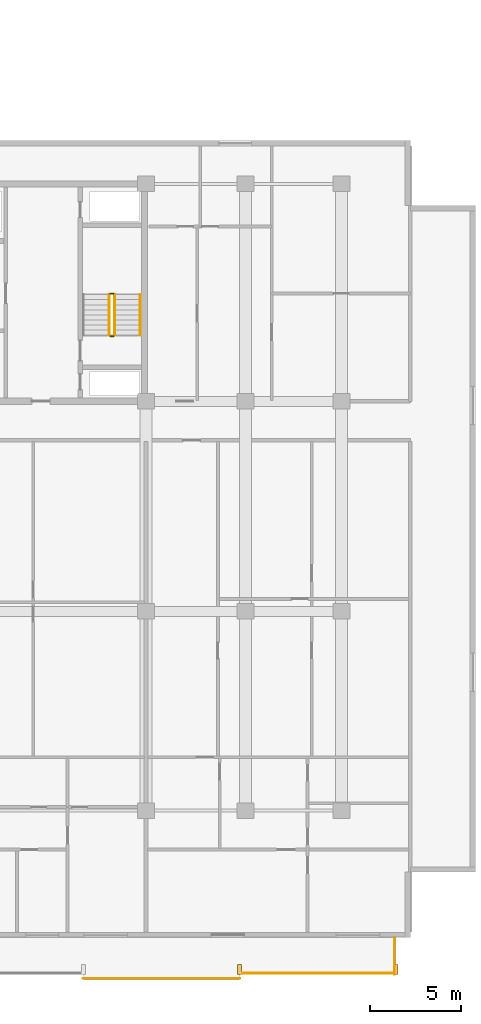
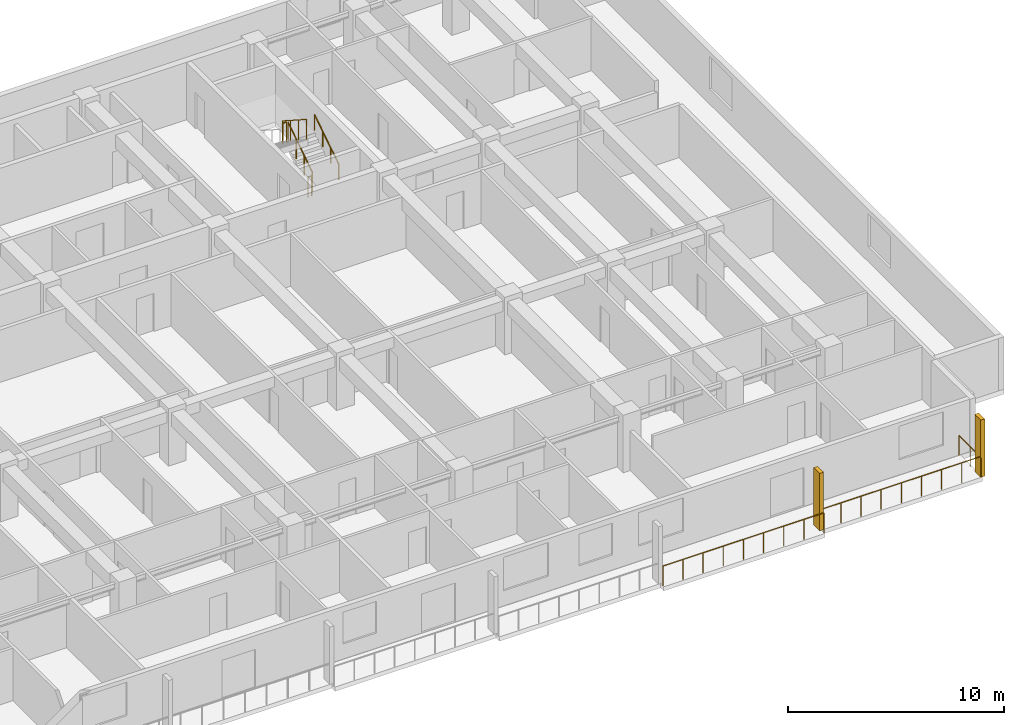
# One storey, part 21 of 23: 8 railings, 2 shading devices.
"""IFC4 building model written with IfcOpenShell, lengths in metres."""

from ifc_helpers import new_model, si_unit, direction, frame, origin, origin_2d, place, context, subcontext, project, spatial, rectangle, circle, extrude, material, type_object, element, save


model = new_model("IFC4")

# Units and contexts
model_context = context("Model", 3, precision=1e-05, world=origin(), true_north=direction((0.0, 1.0)))
body_context = subcontext(model_context, "Body", "Model", "MODEL_VIEW")
ifc_project = project(units=[si_unit("LENGTHUNIT", "METRE"), si_unit("AREAUNIT", "SQUARE_METRE"), si_unit("VOLUMEUNIT", "CUBIC_METRE"), si_unit("PLANEANGLEUNIT", "RADIAN"), si_unit("MASSUNIT", "GRAM", prefix="KILO")], contexts=[model_context])

# Site, building, storey
site_placement = place(None, origin())
site = spatial("IfcSite", under=ifc_project, at=site_placement, CompositionType="ELEMENT")
building_placement = place(site_placement, origin())
building = spatial("IfcBuilding", under=site, at=building_placement, Name="Korimba Cascade Residences", CompositionType="ELEMENT")
storey_placement = place(building_placement, frame((0.0, 0.0, 72.75)))
storey = spatial("IfcBuildingStorey", under=building, at=storey_placement, Name="L20", CompositionType="ELEMENT", Elevation=72.75)

# Railings
ifc_material_1 = material(Name="Laminated Glass and Bronze Balustrade", Category="glass")
railing_type_1 = type_object("IfcRailingType", Name="RLG-LOG-1150", PredefinedType="BALUSTRADE", material=ifc_material_1)
railing_1_placement = place(storey_placement, frame((114.642822265625, -13.469970703125, 0.0)))
element("IfcRailing", 1, at=railing_1_placement, inside=storey, type_object=railing_type_1, Name="L20 Perimeter Guardrail RLG-L20-T2-LOG-05", PredefinedType="BALUSTRADE", context=body_context, shape_type="SweptSolid", body=[
    extrude(circle(Radius=0.02392578125, at=origin_2d()), frame((0.0, 0.0, 1.1259765625), z_axis=(1.0, 0.0, 0.0), x_axis=(0.0, 1.0, 0.0)), (0.0, 0.0, 1.0), 8.628662109375),
    extrude(circle(Radius=0.02099609375, at=origin_2d()), origin(), (0.0, 0.0, 1.0), 1.101806640625),
    extrude(circle(Radius=0.02099609375, at=origin_2d()), frame((1.07861328125, 0.0, 0.0)), (0.0, 0.0, 1.0), 1.101806640625),
    extrude(circle(Radius=0.02099609375, at=origin_2d()), frame((2.1572265625, 0.0, 0.0)), (0.0, 0.0, 1.0), 1.101806640625),
    extrude(circle(Radius=0.02099609375, at=origin_2d()), frame((3.23583984375, 0.0, 0.0)), (0.0, 0.0, 1.0), 1.101806640625),
    extrude(circle(Radius=0.02099609375, at=origin_2d()), frame((4.314453125, 0.0, 0.0)), (0.0, 0.0, 1.0), 1.101806640625),
    extrude(circle(Radius=0.02099609375, at=origin_2d()), frame((5.392822265625, 0.0, 0.0)), (0.0, 0.0, 1.0), 1.101806640625),
    extrude(circle(Radius=0.02099609375, at=origin_2d()), frame((6.471435546875, 0.0, 0.0)), (0.0, 0.0, 1.0), 1.101806640625),
    extrude(circle(Radius=0.02099609375, at=origin_2d()), frame((7.550048828125, 0.0, 0.0)), (0.0, 0.0, 1.0), 1.101806640625),
    extrude(circle(Radius=0.02099609375, at=origin_2d()), frame((8.628662109375, 0.0, 0.0)), (0.0, 0.0, 1.0), 1.101806640625),
])
railing_2_placement = place(storey_placement, frame((123.271484375, -13.169921875, 0.0)))
element("IfcRailing", 2, at=railing_2_placement, inside=storey, type_object=railing_type_1, Name="L20 Perimeter Guardrail RLG-L20-T2-LOG-06", PredefinedType="BALUSTRADE", context=body_context, shape_type="SweptSolid", body=[
    extrude(circle(Radius=0.02392578125, at=origin_2d()), frame((0.0, 0.0, 1.1259765625), z_axis=(1.0, 0.0, 0.0), x_axis=(0.0, 1.0, 0.0)), (0.0, 0.0, 1.0), 8.62841796875),
    extrude(circle(Radius=0.02099609375, at=origin_2d()), origin(), (0.0, 0.0, 1.0), 1.101806640625),
    extrude(circle(Radius=0.02099609375, at=origin_2d()), frame((1.07861328125, 0.0, 0.0)), (0.0, 0.0, 1.0), 1.101806640625),
    extrude(circle(Radius=0.02099609375, at=origin_2d()), frame((2.1572265625, 0.0, 0.0)), (0.0, 0.0, 1.0), 1.101806640625),
    extrude(circle(Radius=0.02099609375, at=origin_2d()), frame((3.235595703125, 0.0, 0.0)), (0.0, 0.0, 1.0), 1.101806640625),
    extrude(circle(Radius=0.02099609375, at=origin_2d()), frame((4.314208984375, 0.0, 0.0)), (0.0, 0.0, 1.0), 1.101806640625),
    extrude(circle(Radius=0.02099609375, at=origin_2d()), frame((5.392822265625, 0.0, 0.0)), (0.0, 0.0, 1.0), 1.101806640625),
    extrude(circle(Radius=0.02099609375, at=origin_2d()), frame((6.47119140625, 0.0, 0.0)), (0.0, 0.0, 1.0), 1.101806640625),
    extrude(circle(Radius=0.02099609375, at=origin_2d()), frame((7.5498046875, 0.0, 0.0)), (0.0, 0.0, 1.0), 1.101806640625),
    extrude(circle(Radius=0.02099609375, at=origin_2d()), frame((8.62841796875, 0.0, 0.0)), (0.0, 0.0, 1.0), 1.101806640625),
])
railing_3_placement = place(storey_placement, frame((131.820068359375, -13.25, 0.0)))
element("IfcRailing", 3, at=railing_3_placement, inside=storey, type_object=railing_type_1, Name="L20 Perimeter Guardrail RLG-L20-T2-LOG-07", PredefinedType="BALUSTRADE", context=body_context, shape_type="SweptSolid", body=[
    extrude(circle(Radius=0.02392578125, at=origin_2d()), frame((0.0, 0.0, 1.1259765625), z_axis=(0.0, 1.0, 0.0), x_axis=(-1.0, 0.0, 0.0)), (0.0, 0.0, 1.0), 2.050048828125),
    extrude(circle(Radius=0.02099609375, at=origin_2d()), origin(), (0.0, 0.0, 1.0), 1.101806640625),
    extrude(circle(Radius=0.02099609375, at=origin_2d()), frame((0.0, 1.02490234375, 0.0)), (0.0, 0.0, 1.0), 1.101806640625),
    extrude(circle(Radius=0.02099609375, at=origin_2d()), frame((0.0, 2.050048828125, 0.0)), (0.0, 0.0, 1.0), 1.101806640625),
])
ifc_material_2 = material(Name="Painted Steel Stairwell Guardrail", Category="steel")
railing_type_2 = type_object("IfcRailingType", Name="RLG-ST-GD1150", PredefinedType="GUARDRAIL", material=ifc_material_2)
railing_4_placement = place(storey_placement, frame((116.3701171875, 22.050048828125, 0.1806640625)))
element("IfcRailing", 4, at=railing_4_placement, inside=storey, type_object=railing_type_2, Name="L20 ST-E2 stair guard 1", PredefinedType="GUARDRAIL", context=body_context, shape_type="SweptSolid", body=[
    extrude(circle(Radius=0.02392578125, at=origin_2d()), frame((0.0, 0.0, 1.1259765625), z_axis=(0.0, 0.840436612492, 0.541909863706), x_axis=(-1.0, 0.0, 0.0)), (0.0, 0.0, 1.0), 2.665283203125),
    extrude(circle(Radius=0.02099609375, at=origin_2d()), origin(), (0.0, 0.0, 1.0), 1.101806640625),
    extrude(circle(Radius=0.02099609375, at=origin_2d()), frame((0.0, 0.74658203125, 0.4814453125)), (0.0, 0.0, 1.0), 1.101806640625),
    extrude(circle(Radius=0.02099609375, at=origin_2d()), frame((0.0, 1.493408203125, 0.962890625)), (0.0, 0.0, 1.0), 1.101806640625),
    extrude(circle(Radius=0.02099609375, at=origin_2d()), frame((0.0, 2.239990234375, 1.4443359375)), (0.0, 0.0, 1.0), 1.101806640625),
])
railing_5_placement = place(storey_placement, frame((116.320068359375, 24.340087890625, 1.625)))
element("IfcRailing", 5, at=railing_5_placement, inside=storey, type_object=railing_type_2, Name="L20 ST-E2 stair guard 2", PredefinedType="GUARDRAIL", context=body_context, shape_type="SweptSolid", body=[
    extrude(circle(Radius=0.02392578125, at=origin_2d()), frame((0.0, 0.0, 1.1259765625), z_axis=(-1.0, 0.0, 0.0), x_axis=(0.0, -1.0, 0.0)), (0.0, 0.0, 1.0), 0.199951171875),
    extrude(circle(Radius=0.02099609375, at=origin_2d()), origin(), (0.0, 0.0, 1.0), 1.101806640625),
    extrude(circle(Radius=0.02099609375, at=origin_2d()), frame((-0.199951171875, 0.0, 0.0)), (0.0, 0.0, 1.0), 1.101806640625),
])
railing_6_placement = place(storey_placement, frame((116.070068359375, 24.2900390625, 1.8056640625)))
element("IfcRailing", 6, at=railing_6_placement, inside=storey, type_object=railing_type_2, Name="L20 ST-E2 stair guard 3", PredefinedType="GUARDRAIL", context=body_context, shape_type="SweptSolid", body=[
    extrude(circle(Radius=0.02392578125, at=origin_2d()), frame((0.0, 0.0, 1.1259765625), z_axis=(0.0, -0.840436612492, 0.541909863706), x_axis=(1.0, 0.0, 0.0)), (0.0, 0.0, 1.0), 2.665283203125),
    extrude(circle(Radius=0.02099609375, at=origin_2d()), origin(), (0.0, 0.0, 1.0), 1.101806640625),
    extrude(circle(Radius=0.02099609375, at=origin_2d()), frame((0.0, -0.74658203125, 0.4814453125)), (0.0, 0.0, 1.0), 1.101806640625),
    extrude(circle(Radius=0.02099609375, at=origin_2d()), frame((0.0, -1.493408203125, 0.962890625)), (0.0, 0.0, 1.0), 1.101806640625),
    extrude(circle(Radius=0.02099609375, at=origin_2d()), frame((0.0, -2.239990234375, 1.4443359375)), (0.0, 0.0, 1.0), 1.101806640625),
])
railing_7_placement = place(storey_placement, frame((116.320068359375, 22.0, 0.0)))
element("IfcRailing", 7, at=railing_7_placement, inside=storey, type_object=railing_type_2, Name="L20 ST-E2 stair guard 4", PredefinedType="GUARDRAIL", context=body_context, shape_type="SweptSolid", body=[
    extrude(circle(Radius=0.02392578125, at=origin_2d()), frame((0.0, 0.0, 1.1259765625), z_axis=(-1.0, 0.0, 0.0), x_axis=(0.0, -1.0, 0.0)), (0.0, 0.0, 1.0), 0.199951171875),
    extrude(circle(Radius=0.02099609375, at=origin_2d()), origin(), (0.0, 0.0, 1.0), 1.101806640625),
    extrude(circle(Radius=0.02099609375, at=origin_2d()), frame((-0.199951171875, 0.0, 0.0)), (0.0, 0.0, 1.0), 1.101806640625),
])
ifc_material_3 = material(Name="Brushed Stainless Steel Handrail", Category="steel")
railing_type_3 = type_object("IfcRailingType", Name="RLG-ST-HR900", PredefinedType="HANDRAIL", material=ifc_material_3)
railing_8_placement = place(storey_placement, frame((117.7900390625, 22.050048828125, 0.364990234375)))
element("IfcRailing", 8, at=railing_8_placement, inside=storey, type_object=railing_type_3, Name="L20 ST-E2 stair handrail 1", PredefinedType="HANDRAIL", context=body_context, shape_type="SweptSolid", body=[
    extrude(circle(Radius=0.02392578125, at=origin_2d()), frame((0.0, 0.0, 0.8759765625), z_axis=(0.0, 0.840436612492, 0.541909863706), x_axis=(-1.0, 0.0, 0.0)), (0.0, 0.0, 1.0), 2.665283203125),
    extrude(circle(Radius=0.02099609375, at=origin_2d()), origin(), (0.0, 0.0, 1.0), 0.851806640625),
    extrude(circle(Radius=0.02099609375, at=origin_2d()), frame((0.0, 0.74658203125, 0.4814453125)), (0.0, 0.0, 1.0), 0.851806640625),
    extrude(circle(Radius=0.02099609375, at=origin_2d()), frame((0.0, 1.493408203125, 0.962890625)), (0.0, 0.0, 1.0), 0.851806640625),
    extrude(circle(Radius=0.02099609375, at=origin_2d()), frame((0.0, 2.239990234375, 1.4443359375)), (0.0, 0.0, 1.0), 0.851806640625),
])

# Shading devices
ifc_material_4 = material(Name="Honed Sandstone Precast Fin", Category="masonry")
shading_device_type = type_object("IfcShadingDeviceType", Name="SHD-FIN-550", PredefinedType="USERDEFINED", material=ifc_material_4)
for number, where, z_axis, x_axis, name in (
    (9, (123.271484375, -12.97509765625, 0.0), (0.0, 0.0, 1.0), (1.0, 0.0, 0.0), "L20 T2 Warm-Stone Loggia Fin 7"),
    (10, (131.89990234375, -12.97509765625, 0.0), (0.0, 0.0, 1.0), (1.0, 0.0, 0.0), "L20 T2 Warm-Stone Loggia Fin 8"),
):
    element("IfcShadingDevice", number, at=place(storey_placement, frame(where, z_axis=z_axis, x_axis=x_axis)), inside=storey, type_object=shading_device_type, Name=name, ObjectType="FIN", PredefinedType="USERDEFINED", context=body_context, shape_type="SweptSolid", body=[
        extrude(rectangle(XDim=0.219970703125, YDim=0.550048828125, at=origin_2d()), origin(), (0.0, 0.0, 1.0), 3.25),
    ])

save(model, "model.ifc")
